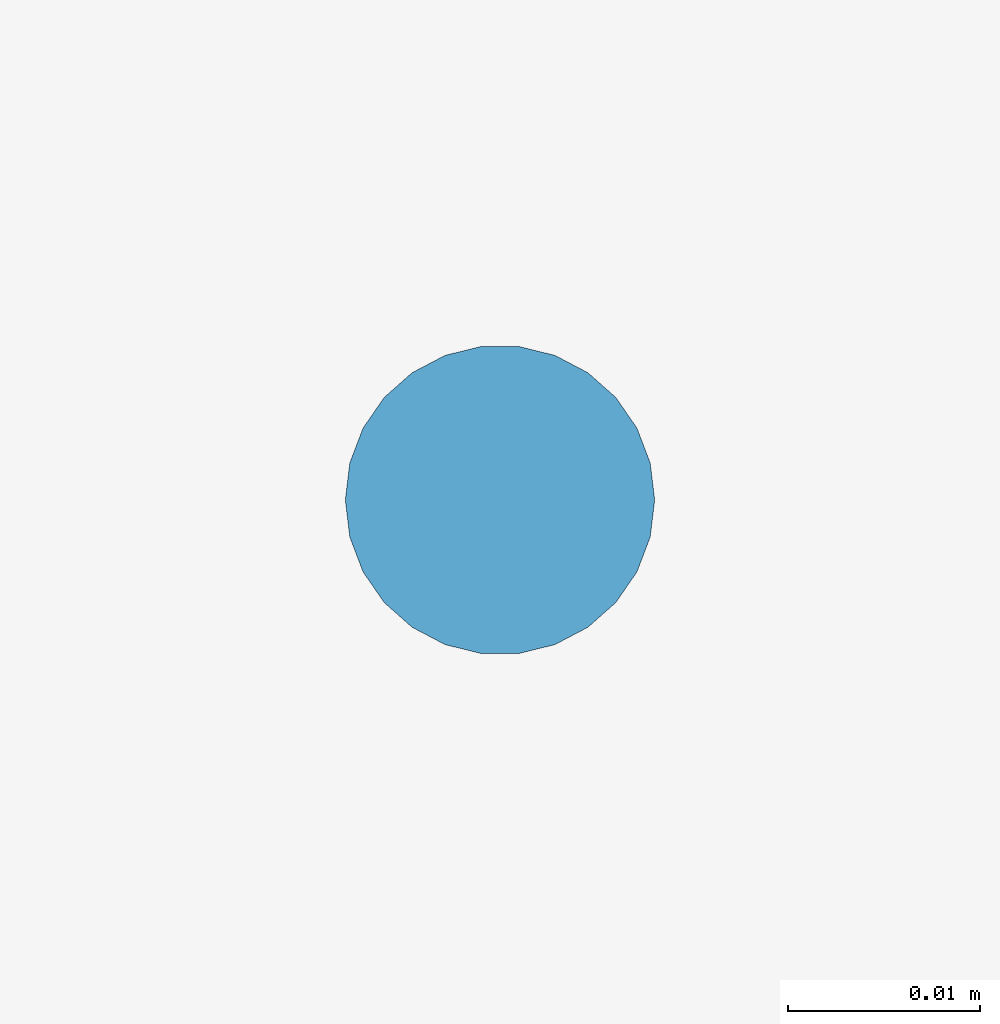
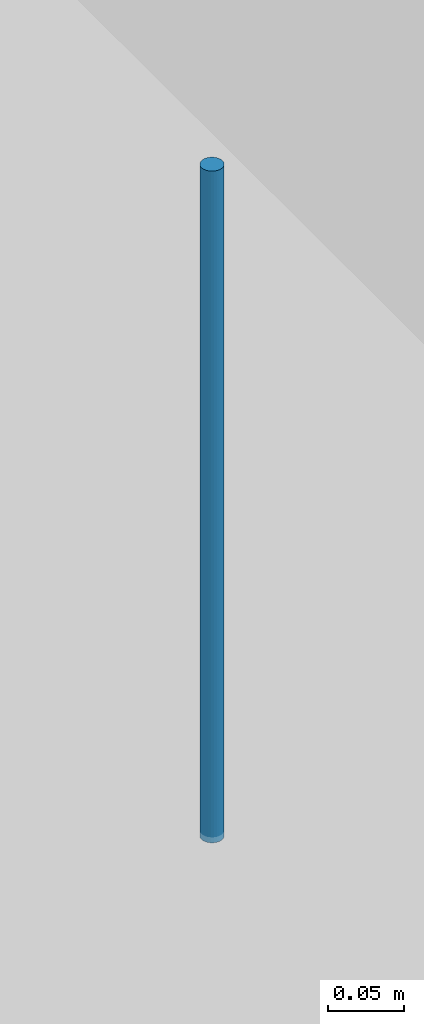
# One storey, part 69 of 82: 1 discrete accessory.
"""IFC4 building model written with IfcOpenShell, lengths in metres."""

from ifc_helpers import new_model, si_unit, direction, frame, origin, origin_2d, place, context, subcontext, project, spatial, circle, extrude, material, type_object, element, save


model = new_model("IFC4")

# Units and contexts
model_context = context("Model", 3, precision=1e-05, world=origin(), true_north=direction((0.0, 1.0)))
body_context = subcontext(model_context, "Body", "Model", "MODEL_VIEW")
ifc_project = project(units=[si_unit("LENGTHUNIT", "METRE"), si_unit("AREAUNIT", "SQUARE_METRE"), si_unit("VOLUMEUNIT", "CUBIC_METRE"), si_unit("PLANEANGLEUNIT", "RADIAN"), si_unit("MASSUNIT", "GRAM", prefix="KILO")], contexts=[model_context])

# Site, building, storey
site_placement = place(None, origin())
site = spatial("IfcSite", under=ifc_project, at=site_placement, CompositionType="ELEMENT")
building_placement = place(site_placement, origin())
building = spatial("IfcBuilding", under=site, at=building_placement, Name="Yukiwa Park Conservatory and Herbarium", CompositionType="ELEMENT")
storey_placement = place(building_placement, origin())
storey = spatial("IfcBuildingStorey", under=building, at=storey_placement, Name="L00", CompositionType="ELEMENT", Elevation=0.0)

# Discrete accessory
ifc_material = material(Name="Steel Q235B", Category="steel")
discrete_accessory_type = type_object("IfcDiscreteAccessoryType", Name="ACC-CEILING-HANGER", PredefinedType="BRACKET", material=ifc_material)
discrete_accessory_placement = place(storey_placement, frame((99.60009765625, 55.89990234375, 4.02490234375), z_axis=(0.0, 0.0, 1.0), x_axis=(1.0, 0.0, 0.0)))
element("IfcDiscreteAccessory", 1, at=discrete_accessory_placement, inside=storey, type_object=discrete_accessory_type, Name="Ceiling suspension hanger rod 6", PredefinedType="BRACKET", context=body_context, shape_type="SweptSolid", body=[
    extrude(circle(Radius=0.008056640625, at=origin_2d()), origin(), (0.0, 0.0, 1.0), 0.5400390625),
])

save(model, "model.ifc")
